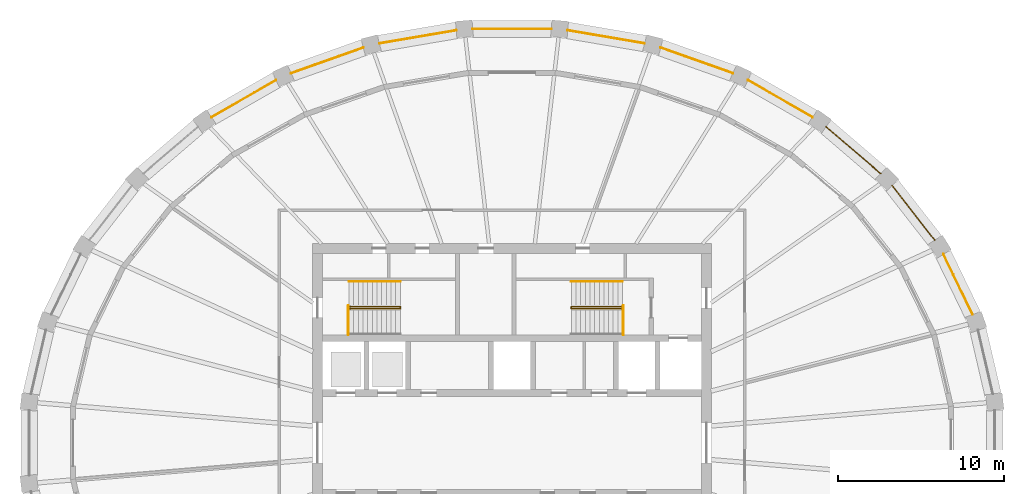
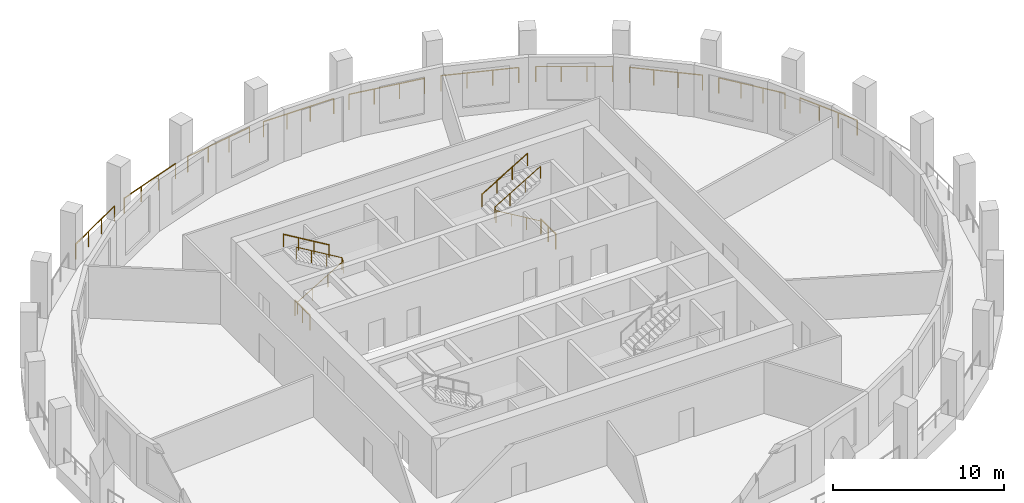
# One storey, part 9 of 10: 16 railings.
"""IFC4 building model written with IfcOpenShell, lengths in metres."""

from ifc_helpers import new_model, si_unit, direction, frame, origin, origin_2d, place, context, subcontext, project, spatial, circle, extrude, material, type_object, element, save


model = new_model("IFC4")

# Units and contexts
model_context = context("Model", 3, precision=1e-05, world=origin(), true_north=direction((0.0, 1.0)))
body_context = subcontext(model_context, "Body", "Model", "MODEL_VIEW")
ifc_project = project(units=[si_unit("LENGTHUNIT", "METRE"), si_unit("AREAUNIT", "SQUARE_METRE"), si_unit("VOLUMEUNIT", "CUBIC_METRE"), si_unit("PLANEANGLEUNIT", "RADIAN"), si_unit("MASSUNIT", "GRAM", prefix="KILO")], contexts=[model_context])

# Site, building, storey
site_placement = place(None, origin())
site = spatial("IfcSite", under=ifc_project, at=site_placement, CompositionType="ELEMENT")
building_placement = place(site_placement, origin())
building = spatial("IfcBuilding", under=site, at=building_placement, Name="Halqa Exchange Tower", CompositionType="ELEMENT")
storey_placement = place(building_placement, frame((0.0, 0.0, 292.300048828125)))
storey = spatial("IfcBuildingStorey", under=building, at=storey_placement, Name="L68", CompositionType="ELEMENT", Elevation=292.300048828125)

# Railings
ifc_material = material(Name="Stainless steel", Category="steel")
railing_type_1 = type_object("IfcRailingType", Name="Guard 1100 stainless steel", PredefinedType="GUARDRAIL", material=ifc_material)
railing_1_placement = place(storey_placement, frame((27.7099609375, 7.711669921875, 0.0)))
element("IfcRailing", 1, at=railing_1_placement, inside=storey, type_object=railing_type_1, Name="Loggia guard 2", PredefinedType="GUARDRAIL", context=body_context, shape_type="SweptSolid", body=[
    extrude(circle(Radius=0.02392578125, at=origin_2d()), frame((0.0, 0.0, 1.076171875), z_axis=(-0.435086028239, 0.90038888711, 0.0), x_axis=(-0.90038888711, -0.435086028239, 0.0)), (0.0, 0.0, 1.0), 4.03173828125),
    extrude(circle(Radius=0.02099609375, at=origin_2d()), origin(), (0.0, 0.0, 1.0), 1.052001953125),
    extrude(circle(Radius=0.02099609375, at=origin_2d()), frame((-0.584716796875, 1.2099609375, 0.0)), (0.0, 0.0, 1.0), 1.052001953125),
    extrude(circle(Radius=0.02099609375, at=origin_2d()), frame((-1.16943359375, 2.420166015625, 0.0)), (0.0, 0.0, 1.0), 1.052001953125),
    extrude(circle(Radius=0.02099609375, at=origin_2d()), frame((-1.754150390625, 3.630126953125, 0.0)), (0.0, 0.0, 1.0), 1.052001953125),
])
railing_2_placement = place(storey_placement, frame((25.430908203125, 12.186279296875, 0.0)))
element("IfcRailing", 2, at=railing_2_placement, inside=storey, type_object=railing_type_1, Name="Loggia guard 3", PredefinedType="GUARDRAIL", context=body_context, shape_type="SweptSolid", body=[
    extrude(circle(Radius=0.02392578125, at=origin_2d()), frame((0.0, 0.0, 1.076171875), z_axis=(-0.614799536048, 0.788683415875, 0.0), x_axis=(-0.788683415875, -0.614799536048, 0.0)), (0.0, 0.0, 1.0), 4.169921875),
    extrude(circle(Radius=0.02099609375, at=origin_2d()), origin(), (0.0, 0.0, 1.0), 1.052001953125),
    extrude(circle(Radius=0.02099609375, at=origin_2d()), frame((-0.8544921875, 1.09619140625, 0.0)), (0.0, 0.0, 1.0), 1.052001953125),
    extrude(circle(Radius=0.02099609375, at=origin_2d()), frame((-1.709228515625, 2.192626953125, 0.0)), (0.0, 0.0, 1.0), 1.052001953125),
    extrude(circle(Radius=0.02099609375, at=origin_2d()), frame((-2.563720703125, 3.288818359375, 0.0)), (0.0, 0.0, 1.0), 1.052001953125),
])
railing_3_placement = place(storey_placement, frame((22.18017578125, 16.194580078125, 0.0)))
element("IfcRailing", 3, at=railing_3_placement, inside=storey, type_object=railing_type_1, Name="Loggia guard 4", PredefinedType="GUARDRAIL", context=body_context, shape_type="SweptSolid", body=[
    extrude(circle(Radius=0.02392578125, at=origin_2d()), frame((0.0, 0.0, 1.076171875), z_axis=(-0.759256602365, 0.650791373456, 0.0), x_axis=(-0.650791373456, -0.759256602365, 0.0)), (0.0, 0.0, 1.0), 4.328369140625),
    extrude(circle(Radius=0.02099609375, at=origin_2d()), origin(), (0.0, 0.0, 1.0), 1.052001953125),
    extrude(circle(Radius=0.02099609375, at=origin_2d()), frame((-1.095458984375, 0.93896484375, 0.0)), (0.0, 0.0, 1.0), 1.052001953125),
    extrude(circle(Radius=0.02099609375, at=origin_2d()), frame((-2.19091796875, 1.8779296875, 0.0)), (0.0, 0.0, 1.0), 1.052001953125),
    extrude(circle(Radius=0.02099609375, at=origin_2d()), frame((-3.286376953125, 2.81689453125, 0.0)), (0.0, 0.0, 1.0), 1.052001953125),
])
railing_4_placement = place(storey_placement, frame((18.080322265625, 19.58544921875, 0.0)))
element("IfcRailing", 4, at=railing_4_placement, inside=storey, type_object=railing_type_1, Name="Loggia guard 5", PredefinedType="GUARDRAIL", context=body_context, shape_type="SweptSolid", body=[
    extrude(circle(Radius=0.02392578125, at=origin_2d()), frame((0.0, 0.0, 1.076171875), z_axis=(-0.867770081803, 0.496965879239, 0.0), x_axis=(-0.496965879239, -0.867770081803, 0.0)), (0.0, 0.0, 1.0), 4.481689453125),
    extrude(circle(Radius=0.02099609375, at=origin_2d()), origin(), (0.0, 0.0, 1.0), 1.052001953125),
    extrude(circle(Radius=0.02099609375, at=origin_2d()), frame((-1.29638671875, 0.742431640625, 0.0)), (0.0, 0.0, 1.0), 1.052001953125),
    extrude(circle(Radius=0.02099609375, at=origin_2d()), frame((-2.5927734375, 1.48486328125, 0.0)), (0.0, 0.0, 1.0), 1.052001953125),
    extrude(circle(Radius=0.02099609375, at=origin_2d()), frame((-3.88916015625, 2.227294921875, 0.0)), (0.0, 0.0, 1.0), 1.052001953125),
])
railing_5_placement = place(storey_placement, frame((13.2861328125, 22.228515625, 0.0)))
element("IfcRailing", 5, at=railing_5_placement, inside=storey, type_object=railing_type_1, Name="Loggia guard 6", PredefinedType="GUARDRAIL", context=body_context, shape_type="SweptSolid", body=[
    extrude(circle(Radius=0.02392578125, at=origin_2d()), frame((0.0, 0.0, 1.076171875), z_axis=(-0.942370647396, 0.334570714388, 0.0), x_axis=(-0.334570714388, -0.942370647396, 0.0)), (0.0, 0.0, 1.0), 4.60888671875),
    extrude(circle(Radius=0.02099609375, at=origin_2d()), origin(), (0.0, 0.0, 1.0), 1.052001953125),
    extrude(circle(Radius=0.02099609375, at=origin_2d()), frame((-1.44775390625, 0.513916015625, 0.0)), (0.0, 0.0, 1.0), 1.052001953125),
    extrude(circle(Radius=0.02099609375, at=origin_2d()), frame((-2.8955078125, 1.028076171875, 0.0)), (0.0, 0.0, 1.0), 1.052001953125),
    extrude(circle(Radius=0.02099609375, at=origin_2d()), frame((-4.34326171875, 1.5419921875, 0.0)), (0.0, 0.0, 1.0), 1.052001953125),
])
railing_6_placement = place(storey_placement, frame((7.978759765625, 24.02197265625, 0.0)))
element("IfcRailing", 6, at=railing_6_placement, inside=storey, type_object=railing_type_1, Name="Loggia guard 7", PredefinedType="GUARDRAIL", context=body_context, shape_type="SweptSolid", body=[
    extrude(circle(Radius=0.02392578125, at=origin_2d()), frame((0.0, 0.0, 1.076171875), z_axis=(-0.98577534907, 0.168068322908, 0.0), x_axis=(-0.168068322908, -0.98577534907, 0.0)), (0.0, 0.0, 1.0), 4.69189453125),
    extrude(circle(Radius=0.02099609375, at=origin_2d()), origin(), (0.0, 0.0, 1.0), 1.052001953125),
    extrude(circle(Radius=0.02099609375, at=origin_2d()), frame((-1.541748046875, 0.262939453125, 0.0)), (0.0, 0.0, 1.0), 1.052001953125),
    extrude(circle(Radius=0.02099609375, at=origin_2d()), frame((-3.08349609375, 0.525634765625, 0.0)), (0.0, 0.0, 1.0), 1.052001953125),
    extrude(circle(Radius=0.02099609375, at=origin_2d()), frame((-4.625244140625, 0.78857421875, 0.0)), (0.0, 0.0, 1.0), 1.052001953125),
])
railing_7_placement = place(storey_placement, frame((2.360595703125, 24.89453125, 0.0)))
element("IfcRailing", 7, at=railing_7_placement, inside=storey, type_object=railing_type_1, Name="Loggia guard 8", PredefinedType="GUARDRAIL", context=body_context, shape_type="SweptSolid", body=[
    extrude(circle(Radius=0.02392578125, at=origin_2d()), frame((0.0, 0.0, 1.076171875), z_axis=(-1.0, 0.0, 0.0), x_axis=(0.0, -1.0, 0.0)), (0.0, 0.0, 1.0), 4.72119140625),
    extrude(circle(Radius=0.02099609375, at=origin_2d()), origin(), (0.0, 0.0, 1.0), 1.052001953125),
    extrude(circle(Radius=0.02099609375, at=origin_2d()), frame((-1.57373046875, 0.0, 0.0)), (0.0, 0.0, 1.0), 1.052001953125),
    extrude(circle(Radius=0.02099609375, at=origin_2d()), frame((-3.1474609375, 0.0, 0.0)), (0.0, 0.0, 1.0), 1.052001953125),
    extrude(circle(Radius=0.02099609375, at=origin_2d()), frame((-4.72119140625, 0.0, 0.0)), (0.0, 0.0, 1.0), 1.052001953125),
])
railing_8_placement = place(storey_placement, frame((-3.353515625, 24.810546875, 0.0)))
element("IfcRailing", 8, at=railing_8_placement, inside=storey, type_object=railing_type_1, Name="Loggia guard 9", PredefinedType="GUARDRAIL", context=body_context, shape_type="SweptSolid", body=[
    extrude(circle(Radius=0.02392578125, at=origin_2d()), frame((0.0, 0.0, 1.076171875), z_axis=(-0.98577534907, -0.168068322908, 0.0), x_axis=(0.168068322908, -0.98577534907, 0.0)), (0.0, 0.0, 1.0), 4.69189453125),
    extrude(circle(Radius=0.02099609375, at=origin_2d()), origin(), (0.0, 0.0, 1.0), 1.052001953125),
    extrude(circle(Radius=0.02099609375, at=origin_2d()), frame((-1.541748046875, -0.262939453125, 0.0)), (0.0, 0.0, 1.0), 1.052001953125),
    extrude(circle(Radius=0.02099609375, at=origin_2d()), frame((-3.08349609375, -0.525634765625, 0.0)), (0.0, 0.0, 1.0), 1.052001953125),
    extrude(circle(Radius=0.02099609375, at=origin_2d()), frame((-4.625244140625, -0.78857421875, 0.0)), (0.0, 0.0, 1.0), 1.052001953125),
])
railing_9_placement = place(storey_placement, frame((-8.94287109375, 23.7705078125, 0.0)))
element("IfcRailing", 9, at=railing_9_placement, inside=storey, type_object=railing_type_1, Name="Loggia guard 10", PredefinedType="GUARDRAIL", context=body_context, shape_type="SweptSolid", body=[
    extrude(circle(Radius=0.02392578125, at=origin_2d()), frame((0.0, 0.0, 1.076171875), z_axis=(-0.942370647396, -0.334570714388, 0.0), x_axis=(0.334570714388, -0.942370647396, 0.0)), (0.0, 0.0, 1.0), 4.60888671875),
    extrude(circle(Radius=0.02099609375, at=origin_2d()), origin(), (0.0, 0.0, 1.0), 1.052001953125),
    extrude(circle(Radius=0.02099609375, at=origin_2d()), frame((-1.44775390625, -0.513916015625, 0.0)), (0.0, 0.0, 1.0), 1.052001953125),
    extrude(circle(Radius=0.02099609375, at=origin_2d()), frame((-2.8955078125, -1.028076171875, 0.0)), (0.0, 0.0, 1.0), 1.052001953125),
    extrude(circle(Radius=0.02099609375, at=origin_2d()), frame((-4.34326171875, -1.5419921875, 0.0)), (0.0, 0.0, 1.0), 1.052001953125),
])
railing_10_placement = place(storey_placement, frame((-14.191162109375, 21.812744140625, 0.0)))
element("IfcRailing", 10, at=railing_10_placement, inside=storey, type_object=railing_type_1, Name="Loggia guard 11", PredefinedType="GUARDRAIL", context=body_context, shape_type="SweptSolid", body=[
    extrude(circle(Radius=0.02392578125, at=origin_2d()), frame((0.0, 0.0, 1.076171875), z_axis=(-0.867770081803, -0.496965879239, 0.0), x_axis=(0.496965879239, -0.867770081803, 0.0)), (0.0, 0.0, 1.0), 4.481689453125),
    extrude(circle(Radius=0.02099609375, at=origin_2d()), origin(), (0.0, 0.0, 1.0), 1.052001953125),
    extrude(circle(Radius=0.02099609375, at=origin_2d()), frame((-1.29638671875, -0.742431640625, 0.0)), (0.0, 0.0, 1.0), 1.052001953125),
    extrude(circle(Radius=0.02099609375, at=origin_2d()), frame((-2.5927734375, -1.48486328125, 0.0)), (0.0, 0.0, 1.0), 1.052001953125),
    extrude(circle(Radius=0.02099609375, at=origin_2d()), frame((-3.88916015625, -2.227294921875, 0.0)), (0.0, 0.0, 1.0), 1.052001953125),
])
railing_type_2 = type_object("IfcRailingType", Name="Stair handrail 900", PredefinedType="HANDRAIL", material=ifc_material)
railing_11_placement = place(storey_placement, frame((-9.800048828125, 8.06005859375, 0.166748046875)))
element("IfcRailing", 11, at=railing_11_placement, inside=storey, type_object=railing_type_2, Name="Handrail ST1.1", PredefinedType="HANDRAIL", context=body_context, shape_type="SweptSolid", body=[
    extrude(circle(Radius=0.02392578125, at=origin_2d()), frame((0.0, 0.0, 0.8759765625), z_axis=(0.859308565015, 0.0, 0.511457515432), x_axis=(0.0, 1.0, 0.0)), (0.0, 0.0, 1.0), 3.58447265625),
    extrude(circle(Radius=0.02392578125, at=origin_2d()), frame((3.080078125, 0.0, 2.708984375), z_axis=(0.0, 0.614500226555, 0.788916644243), x_axis=(-1.0, 0.0, 0.0)), (0.0, 0.0, 1.0), 0.21142578125),
    extrude(circle(Radius=0.02392578125, at=origin_2d()), frame((3.080078125, 0.1298828125, 2.8759765625), z_axis=(-0.859308565015, 0.0, 0.511457515432), x_axis=(0.0, -1.0, 0.0)), (0.0, 0.0, 1.0), 3.58447265625),
    extrude(circle(Radius=0.02099609375, at=origin_2d()), origin(), (0.0, 0.0, 1.0), 0.851806640625),
    extrude(circle(Radius=0.02099609375, at=origin_2d()), frame((1.026611328125, 0.0, 0.611083984375)), (0.0, 0.0, 1.0), 0.851806640625),
    extrude(circle(Radius=0.02099609375, at=origin_2d()), frame((2.053466796875, 0.0, 1.22216796875)), (0.0, 0.0, 1.0), 0.851806640625),
    extrude(circle(Radius=0.02099609375, at=origin_2d()), frame((3.080078125, 0.0, 1.833251953125)), (0.0, 0.0, 1.0), 0.851806640625),
    extrude(circle(Radius=0.02099609375, at=origin_2d()), frame((3.080078125, 0.1298828125, 2.0)), (0.0, 0.0, 1.0), 0.851806640625),
    extrude(circle(Radius=0.02099609375, at=origin_2d()), frame((2.053466796875, 0.1298828125, 2.611083984375)), (0.0, 0.0, 1.0), 0.851806640625),
    extrude(circle(Radius=0.02099609375, at=origin_2d()), frame((1.026611328125, 0.1298828125, 3.22216796875)), (0.0, 0.0, 1.0), 0.851806640625),
    extrude(circle(Radius=0.02099609375, at=origin_2d()), frame((0.0, 0.1298828125, 3.833251953125)), (0.0, 0.0, 1.0), 0.851806640625),
])
railing_12_placement = place(storey_placement, frame((-6.719970703125, 9.699951171875, 2.166748046875)))
element("IfcRailing", 12, at=railing_12_placement, inside=storey, type_object=railing_type_2, Name="Handrail ST1.3", PredefinedType="HANDRAIL", context=body_context, shape_type="SweptSolid", body=[
    extrude(circle(Radius=0.02392578125, at=origin_2d()), frame((0.0, 0.0, 0.8759765625), z_axis=(-0.859308565015, 0.0, 0.511457515432), x_axis=(0.0, -1.0, 0.0)), (0.0, 0.0, 1.0), 3.58447265625),
    extrude(circle(Radius=0.02099609375, at=origin_2d()), origin(), (0.0, 0.0, 1.0), 0.851806640625),
    extrude(circle(Radius=0.02099609375, at=origin_2d()), frame((-1.026611328125, 0.0, 0.611083984375)), (0.0, 0.0, 1.0), 0.851806640625),
    extrude(circle(Radius=0.02099609375, at=origin_2d()), frame((-2.053466796875, 0.0, 1.22216796875)), (0.0, 0.0, 1.0), 0.851806640625),
    extrude(circle(Radius=0.02099609375, at=origin_2d()), frame((-3.080078125, 0.0, 1.833251953125)), (0.0, 0.0, 1.0), 0.851806640625),
])
railing_13_placement = place(storey_placement, frame((6.64990234375, 8.06005859375, 0.166748046875)))
element("IfcRailing", 13, at=railing_13_placement, inside=storey, type_object=railing_type_2, Name="Handrail ST2.1", PredefinedType="HANDRAIL", context=body_context, shape_type="SweptSolid", body=[
    extrude(circle(Radius=0.02392578125, at=origin_2d()), frame((0.0, 0.0, 0.8759765625), z_axis=(-0.859290745958, 0.0, 0.51148745235), x_axis=(0.0, -1.0, 0.0)), (0.0, 0.0, 1.0), 3.584228515625),
    extrude(circle(Radius=0.02392578125, at=origin_2d()), frame((-3.079833984375, 0.0, 2.708984375), z_axis=(0.0, 0.614500226555, 0.788916644243), x_axis=(-1.0, 0.0, 0.0)), (0.0, 0.0, 1.0), 0.21142578125),
    extrude(circle(Radius=0.02392578125, at=origin_2d()), frame((-3.079833984375, 0.1298828125, 2.8759765625), z_axis=(0.859290745958, 0.0, 0.51148745235), x_axis=(0.0, 1.0, 0.0)), (0.0, 0.0, 1.0), 3.584228515625),
    extrude(circle(Radius=0.02099609375, at=origin_2d()), origin(), (0.0, 0.0, 1.0), 0.851806640625),
    extrude(circle(Radius=0.02099609375, at=origin_2d()), frame((-1.026611328125, 0.0, 0.611083984375)), (0.0, 0.0, 1.0), 0.851806640625),
    extrude(circle(Radius=0.02099609375, at=origin_2d()), frame((-2.05322265625, 0.0, 1.22216796875)), (0.0, 0.0, 1.0), 0.851806640625),
    extrude(circle(Radius=0.02099609375, at=origin_2d()), frame((-3.079833984375, 0.0, 1.833251953125)), (0.0, 0.0, 1.0), 0.851806640625),
    extrude(circle(Radius=0.02099609375, at=origin_2d()), frame((-3.079833984375, 0.1298828125, 2.0)), (0.0, 0.0, 1.0), 0.851806640625),
    extrude(circle(Radius=0.02099609375, at=origin_2d()), frame((-2.05322265625, 0.1298828125, 2.611083984375)), (0.0, 0.0, 1.0), 0.851806640625),
    extrude(circle(Radius=0.02099609375, at=origin_2d()), frame((-1.026611328125, 0.1298828125, 3.22216796875)), (0.0, 0.0, 1.0), 0.851806640625),
    extrude(circle(Radius=0.02099609375, at=origin_2d()), frame((0.0, 0.1298828125, 3.833251953125)), (0.0, 0.0, 1.0), 0.851806640625),
])
railing_14_placement = place(storey_placement, frame((3.570068359375, 9.699951171875, 2.166748046875)))
element("IfcRailing", 14, at=railing_14_placement, inside=storey, type_object=railing_type_2, Name="Handrail ST2.3", PredefinedType="HANDRAIL", context=body_context, shape_type="SweptSolid", body=[
    extrude(circle(Radius=0.02392578125, at=origin_2d()), frame((0.0, 0.0, 0.8759765625), z_axis=(0.859290745958, 0.0, 0.51148745235), x_axis=(0.0, 1.0, 0.0)), (0.0, 0.0, 1.0), 3.584228515625),
    extrude(circle(Radius=0.02099609375, at=origin_2d()), origin(), (0.0, 0.0, 1.0), 0.851806640625),
    extrude(circle(Radius=0.02099609375, at=origin_2d()), frame((1.026611328125, 0.0, 0.611083984375)), (0.0, 0.0, 1.0), 0.851806640625),
    extrude(circle(Radius=0.02099609375, at=origin_2d()), frame((2.05322265625, 0.0, 1.22216796875)), (0.0, 0.0, 1.0), 0.851806640625),
    extrude(circle(Radius=0.02099609375, at=origin_2d()), frame((3.079833984375, 0.0, 1.833251953125)), (0.0, 0.0, 1.0), 0.851806640625),
])
railing_type_3 = type_object("IfcRailingType", Name="Stair well guard 1100", PredefinedType="GUARDRAIL", material=ifc_material)
for number, where, name in (
    (15, (-9.85009765625, 6.5, 0.0), "Guard ST1 well"),
    (16, (6.699951171875, 6.5, 0.0), "Guard ST2 well"),
):
    element("IfcRailing", number, at=place(storey_placement, frame(where)), inside=storey, type_object=railing_type_3, Name=name, PredefinedType="GUARDRAIL", context=body_context, shape_type="SweptSolid", body=[
        extrude(circle(Radius=0.02392578125, at=origin_2d()), frame((0.0, 0.0, 1.076171875), z_axis=(0.0, 1.0, 0.0), x_axis=(-1.0, 0.0, 0.0)), (0.0, 0.0, 1.0), 1.75),
        extrude(circle(Radius=0.02099609375, at=origin_2d()), origin(), (0.0, 0.0, 1.0), 1.052001953125),
        extrude(circle(Radius=0.02099609375, at=origin_2d()), frame((0.0, 0.875, 0.0)), (0.0, 0.0, 1.0), 1.052001953125),
        extrude(circle(Radius=0.02099609375, at=origin_2d()), frame((0.0, 1.75, 0.0)), (0.0, 0.0, 1.0), 1.052001953125),
    ])

save(model, "model.ifc")
